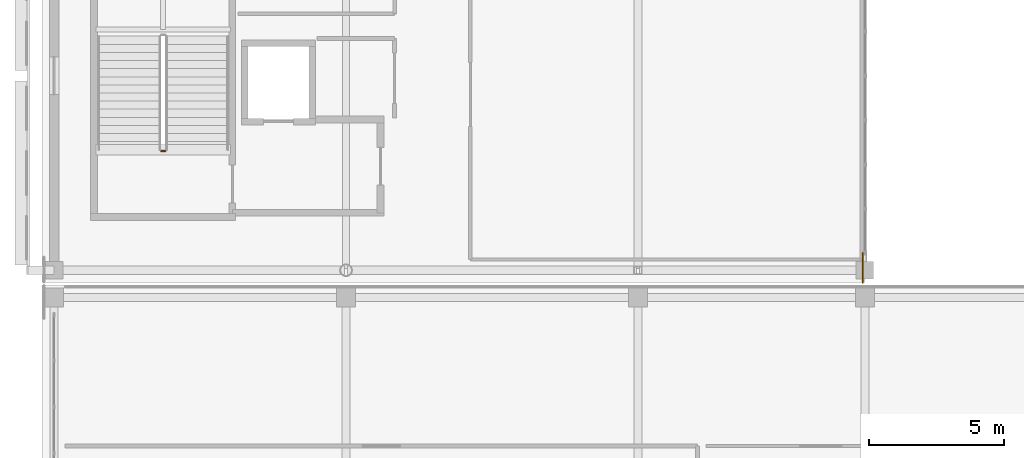
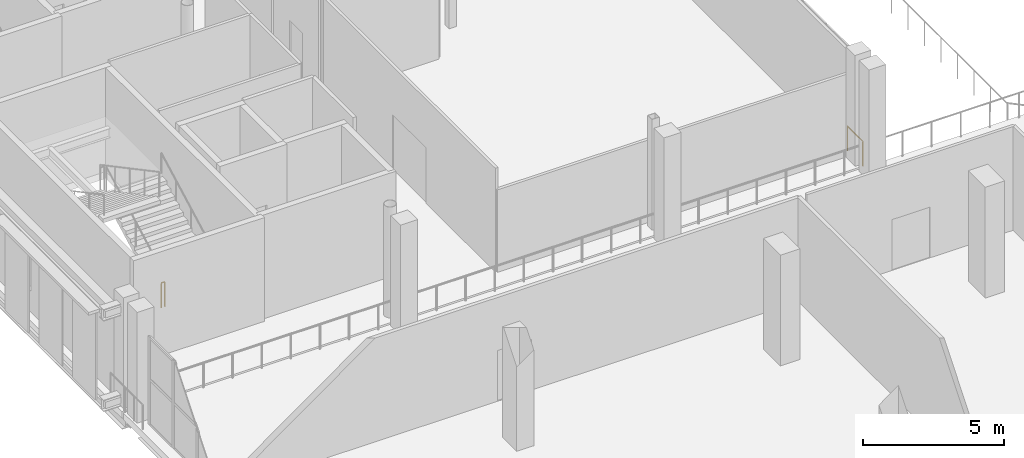
# One storey, part 78 of 104: 2 railings.
"""IFC4 building model written with IfcOpenShell, lengths in metres."""

from ifc_helpers import new_model, si_unit, direction, frame, origin, origin_2d, place, context, subcontext, project, spatial, circle, extrude, material, type_object, element, save


model = new_model("IFC4")

# Units and contexts
model_context = context("Model", 3, precision=1e-05, world=origin(), true_north=direction((0.0, 1.0)))
body_context = subcontext(model_context, "Body", "Model", "MODEL_VIEW")
ifc_project = project(units=[si_unit("LENGTHUNIT", "METRE"), si_unit("AREAUNIT", "SQUARE_METRE"), si_unit("VOLUMEUNIT", "CUBIC_METRE"), si_unit("PLANEANGLEUNIT", "RADIAN"), si_unit("MASSUNIT", "GRAM", prefix="KILO")], contexts=[model_context])

# Site, building, storey
site_placement = place(None, origin())
site = spatial("IfcSite", under=ifc_project, at=site_placement, CompositionType="ELEMENT")
building_placement = place(site_placement, origin())
building = spatial("IfcBuilding", under=site, at=building_placement, Name="Koshinbarg Plaza Stadium", CompositionType="ELEMENT")
storey_placement = place(building_placement, frame((0.0, 0.0, 19.800048828125)))
storey = spatial("IfcBuildingStorey", under=building, at=storey_placement, Name="L04", CompositionType="ELEMENT", Elevation=19.800048828125)

# Railings
ifc_material_1 = material(Name="Toughened laminated glass and stainless steel sightline balustrade", Category="steel")
railing_type_1 = type_object("IfcRailingType", Name="RL-BOWL-1100", PredefinedType="BALUSTRADE", material=ifc_material_1)
railing_1_placement = place(storey_placement, frame((54.52001953125, 26.140625, 0.0)))
element("IfcRailing", 1, at=railing_1_placement, inside=storey, type_object=railing_type_1, Name="L04 deck edge safety balustrade 0286", PredefinedType="BALUSTRADE", context=body_context, shape_type="SweptSolid", body=[
    extrude(circle(Radius=0.02392578125, at=origin_2d()), frame((0.0, 0.0, 1.076171875), z_axis=(0.0, -1.0, 0.0), x_axis=(1.0, 0.0, 0.0)), (0.0, 0.0, 1.0), 1.095703125),
    extrude(circle(Radius=0.02099609375, at=origin_2d()), origin(), (0.0, 0.0, 1.0), 1.052001953125),
    extrude(circle(Radius=0.02099609375, at=origin_2d()), frame((0.0, -1.095703125, 0.0)), (0.0, 0.0, 1.0), 1.052001953125),
])
ifc_material_2 = material(Name="Galvanized painted steel guardrail", Category="steel")
railing_type_2 = type_object("IfcRailingType", Name="RL-GUARD-1100", PredefinedType="GUARDRAIL", material=ifc_material_2)
railing_2_placement = place(storey_placement, frame((28.7099609375, 29.909912109375, 0.0)))
element("IfcRailing", 2, at=railing_2_placement, inside=storey, type_object=railing_type_2, Name="L04 C01 stair guard 4", PredefinedType="GUARDRAIL", context=body_context, shape_type="SweptSolid", body=[
    extrude(circle(Radius=0.02392578125, at=origin_2d()), frame((0.0, 0.0, 1.076171875), z_axis=(-1.0, 0.0, 0.0), x_axis=(0.0, -1.0, 0.0)), (0.0, 0.0, 1.0), 0.14990234375),
    extrude(circle(Radius=0.02099609375, at=origin_2d()), origin(), (0.0, 0.0, 1.0), 1.052001953125),
    extrude(circle(Radius=0.02099609375, at=origin_2d()), frame((-0.14990234375, 0.0, 0.0)), (0.0, 0.0, 1.0), 1.052001953125),
])

save(model, "model.ifc")
